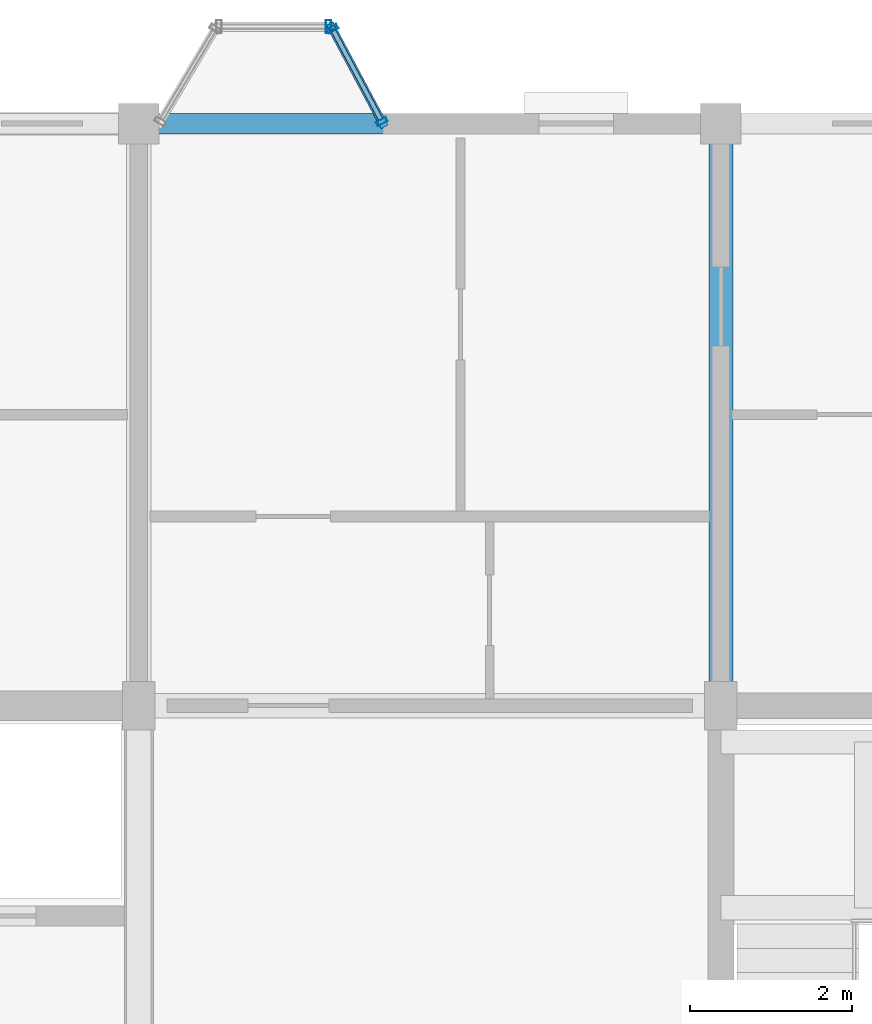
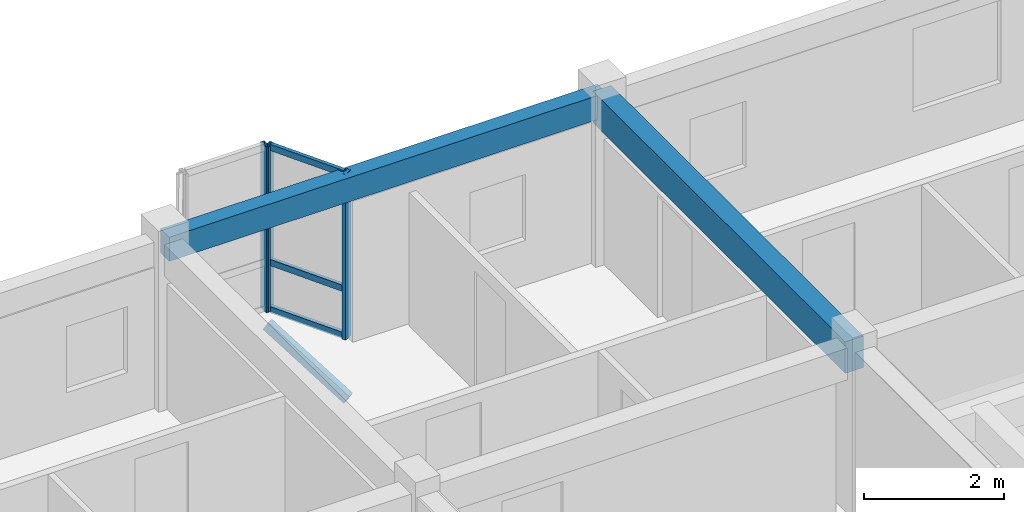
# One storey, part 39 of 65: 7 members, 2 beams, 2 elements without a shape of their own.
"""IFC4 building model written with IfcOpenShell, lengths in metres."""

from ifc_helpers import new_model, si_unit, direction, frame, origin, origin_2d, place, context, subcontext, project, spatial, rectangle, hollow_rectangle, extrude, material, layer, layer_set, material_profile, profile_set, type_object, element, aggregate, save


model = new_model("IFC4")

# Units and contexts
model_context = context("Model", 3, precision=1e-05, world=origin(), true_north=direction((0.0, 1.0)))
body_context = subcontext(model_context, "Body", "Model", "MODEL_VIEW")
ifc_project = project(units=[si_unit("LENGTHUNIT", "METRE"), si_unit("AREAUNIT", "SQUARE_METRE"), si_unit("VOLUMEUNIT", "CUBIC_METRE"), si_unit("PLANEANGLEUNIT", "RADIAN"), si_unit("MASSUNIT", "GRAM", prefix="KILO"), si_unit("THERMODYNAMICTEMPERATUREUNIT", "KELVIN"), si_unit("POWERUNIT", "WATT")], contexts=[model_context])

# Site, building, storey
site_placement = place(None, origin())
site = spatial("IfcSite", under=ifc_project, at=site_placement, CompositionType="ELEMENT")
building_placement = place(site_placement, origin())
building = spatial("IfcBuilding", under=site, at=building_placement, Name="Tavuni Mirador Residences", CompositionType="ELEMENT")
storey_placement = place(building_placement, frame((0.0, 0.0, 29.699951171875)))
storey = spatial("IfcBuildingStorey", under=building, at=storey_placement, Name="L09", CompositionType="ELEMENT", Elevation=29.699951171875)

# Beams
ifc_material_1 = material(Name="Precast concrete C40/50", Category="concrete")
ifc_material_profile_1 = material_profile(ifc_material_1, rectangle(XDim=0.300048828125, YDim=0.550048828125, at=origin_2d()), Name="PC 300x550", Category="concrete")
ifc_profile_set_1 = profile_set([ifc_material_profile_1], Name="Precast concrete C40/50")
beam_type_1 = type_object("IfcBeamType", Name="BT-B550", PredefinedType="BEAM", material=ifc_profile_set_1)
beam_1_placement = place(storey_placement, frame((39.60009765625, 165.60009765625, 2.610107421875), z_axis=(0.0, 1.0, 0.0), x_axis=(-1.0, 0.0, 0.0)))
element("IfcBeam", 1, at=beam_1_placement, inside=storey, type_object=beam_type_1, Name="BMY-BLK-C-L09-04-03", PredefinedType="BEAM", context=body_context, shape_type="SweptSolid", body=[
    extrude(rectangle(XDim=0.300048828125, YDim=0.550048828125, at=origin_2d()), origin(), (0.0, 0.0, 1.0), 7.199951171875),
])
ifc_material_profile_2 = material_profile(ifc_material_1, rectangle(XDim=0.25, YDim=0.419921875, at=origin_2d()), Name="PC 250x420", Category="concrete")
ifc_profile_set_2 = profile_set([ifc_material_profile_2], Name="Precast concrete C40/50")
beam_type_2 = type_object("IfcBeamType", Name="BT-SP420", PredefinedType="SPANDREL", material=ifc_profile_set_2)
beam_2_placement = place(storey_placement, frame((32.39990234375, 172.800048828125, 2.675048828125), z_axis=(1.0, 0.0, 0.0), x_axis=(0.0, 1.0, 0.0)))
element("IfcBeam", 2, at=beam_2_placement, inside=storey, type_object=beam_type_2, Name="BMX-BLK-C-L09-03-04", PredefinedType="SPANDREL", context=body_context, shape_type="SweptSolid", body=[
    extrude(rectangle(XDim=0.25, YDim=0.419921875, at=origin_2d()), origin(), (0.0, 0.0, 1.0), 7.2001953125),
])

# Curtain wall, members
ifc_material_2 = material(Name="Anodised aluminium", Category="aluminium")
ifc_layer_1 = layer(ifc_material_2, 0.175048828125, Name="Anodised aluminium", Category="aluminium")
ifc_layer_set_1 = layer_set([ifc_layer_1], Name="Anodised aluminium")
curtain_wall_type_1 = type_object("IfcCurtainWallType", Name="CWT-MIR-C", PredefinedType="NOTDEFINED", material=ifc_layer_set_1)
curtain_wall_1_placement = place(storey_placement, origin())
curtain_wall_1 = element("IfcCurtainWall", 3, at=curtain_wall_1_placement, inside=storey, type_object=curtain_wall_type_1, Name="CW-MIR-C-N2-L09-M1", PredefinedType="NOTDEFINED")
ifc_material_profile_3 = material_profile(ifc_material_2, hollow_rectangle(XDim=0.06005859375, YDim=0.139892578125, WallThickness=0.00390625, at=origin_2d()), Name="ALU 60x140x4.0", Category="aluminium")
ifc_profile_set_3 = profile_set([ifc_material_profile_3], Name="Anodised aluminium")
member_type_1 = type_object("IfcMemberType", Name="CWM-140", PredefinedType="MULLION", material=ifc_profile_set_3)
member_1_placement = place(storey_placement, frame((35.40576171875, 172.826416015625, 0.0), z_axis=(0.0, 0.0, 1.0), x_axis=(-0.470588235296, 0.882352941175, 0.0)))
member_1 = element("IfcMember", 4, at=member_1_placement, type_object=member_type_1, Name="CW-03 mullion 1", PredefinedType="MULLION", context=body_context, shape_type="SweptSolid", body=[
    extrude(hollow_rectangle(XDim=0.06005859375, YDim=0.139892578125, WallThickness=0.00390625, at=origin_2d()), origin(), (0.0, 0.0, 1.0), 2.885009765625),
])
member_2_placement = place(storey_placement, frame((34.794189453125, 173.9736328125, 0.0), z_axis=(0.0, 0.0, 1.0), x_axis=(-0.470588235296, 0.882352941175, 0.0)))
member_2 = element("IfcMember", 5, at=member_2_placement, type_object=member_type_1, Name="CW-03 mullion 2", PredefinedType="MULLION", context=body_context, shape_type="SweptSolid", body=[
    extrude(hollow_rectangle(XDim=0.06005859375, YDim=0.139892578125, WallThickness=0.00390625, at=origin_2d()), origin(), (0.0, 0.0, 1.0), 2.885009765625),
])

# Curtain wall, member
ifc_layer_2 = layer(ifc_material_2, 0.159912109375, Name="Anodised aluminium", Category="aluminium")
ifc_layer_set_2 = layer_set([ifc_layer_2], Name="Anodised aluminium")
curtain_wall_type_2 = type_object("IfcCurtainWallType", Name="CWT-MIR-D", PredefinedType="NOTDEFINED", material=ifc_layer_set_2)
curtain_wall_2_placement = place(storey_placement, origin())
curtain_wall_2 = element("IfcCurtainWall", 6, at=curtain_wall_2_placement, inside=storey, type_object=curtain_wall_type_2, Name="CW-MIR-C-N2-L09-MF", PredefinedType="NOTDEFINED")
ifc_material_profile_4 = material_profile(ifc_material_2, hollow_rectangle(XDim=0.06494140625, YDim=0.1650390625, WallThickness=0.00439453125, at=origin_2d()), Name="ALU 65x165x4.5", Category="aluminium")
ifc_profile_set_4 = profile_set([ifc_material_profile_4], Name="Anodised aluminium")
member_type_2 = type_object("IfcMemberType", Name="CWM-165", PredefinedType="MULLION", material=ifc_profile_set_4)
member_3_placement = place(storey_placement, frame((34.74755859375, 174.0, 0.0), z_axis=(0.0, 0.0, 1.0), x_axis=(-1.0, 0.0, 0.0)))
member_3 = element("IfcMember", 7, at=member_3_placement, type_object=member_type_2, Name="CW-04 mullion 1", PredefinedType="MULLION", context=body_context, shape_type="SweptSolid", body=[
    extrude(hollow_rectangle(XDim=0.06494140625, YDim=0.1650390625, WallThickness=0.00439453125, at=origin_2d()), origin(), (0.0, 0.0, 1.0), 2.885009765625),
])
aggregate(curtain_wall_2, [member_3])

# Member
ifc_material_profile_5 = material_profile(ifc_material_2, hollow_rectangle(XDim=0.06005859375, YDim=0.110107421875, WallThickness=0.00390625, at=origin_2d()), Name="ALU 60x110x4.0", Category="aluminium")
ifc_profile_set_5 = profile_set([ifc_material_profile_5], Name="Anodised aluminium")
member_type_3 = type_object("IfcMemberType", Name="CWT-110", PredefinedType="USERDEFINED", material=ifc_profile_set_5)
member_4_placement = place(storey_placement, frame((35.391845703125, 172.85302734375, 0.030029296875), z_axis=(-0.470608675382, 0.882342039492, 0.0), x_axis=(-0.882342039492, -0.470608675382, 0.0)))
member_4 = element("IfcMember", 8, at=member_4_placement, type_object=member_type_3, Name="CW-03 transom 1.1", ObjectType="TRANSOM", PredefinedType="USERDEFINED", context=body_context, shape_type="SweptSolid", body=[
    extrude(hollow_rectangle(XDim=0.06005859375, YDim=0.110107421875, WallThickness=0.00390625, at=origin_2d()), origin(), (0.0, 0.0, 1.0), 1.239990234375),
])

member_5_placement = place(storey_placement, frame((35.391845703125, 172.85302734375, 0.85009765625), z_axis=(-0.470608675382, 0.882342039492, 0.0), x_axis=(-0.882342039492, -0.470608675382, 0.0)))
member_5 = element("IfcMember", 9, at=member_5_placement, type_object=member_type_3, Name="CW-03 transom 1.2", ObjectType="TRANSOM", PredefinedType="USERDEFINED", context=body_context, shape_type="SweptSolid", body=[
    extrude(hollow_rectangle(XDim=0.06005859375, YDim=0.110107421875, WallThickness=0.00390625, at=origin_2d()), origin(), (0.0, 0.0, 1.0), 1.239990234375),
])

member_6_placement = place(storey_placement, frame((35.391845703125, 172.85302734375, 2.85498046875), z_axis=(-0.470608675382, 0.882342039492, 0.0), x_axis=(-0.882342039492, -0.470608675382, 0.0)))
member_6 = element("IfcMember", 10, at=member_6_placement, type_object=member_type_3, Name="CW-03 transom 1.3", ObjectType="TRANSOM", PredefinedType="USERDEFINED", context=body_context, shape_type="SweptSolid", body=[
    extrude(hollow_rectangle(XDim=0.06005859375, YDim=0.110107421875, WallThickness=0.00390625, at=origin_2d()), origin(), (0.0, 0.0, 1.0), 1.239990234375),
])

aggregate(curtain_wall_1, [member_1, member_2, member_4, member_5, member_6])

ifc_material_3 = material(Name="Structural steel S355", Category="steel")
ifc_material_profile_6 = material_profile(ifc_material_3, hollow_rectangle(XDim=0.10009765625, YDim=0.179931640625, WallThickness=0.008056640625, at=origin_2d()), Name="RHS 180x100x8.0", Category="steel")
ifc_profile_set_6 = profile_set([ifc_material_profile_6], Name="Structural steel S355")
member_type_4 = type_object("IfcMemberType", Name="MT-BR-RHS180", PredefinedType="BRACE", material=ifc_profile_set_6)
member_7_placement = place(storey_placement, frame((35.419921875, 172.800048828125, -1.050048828125), z_axis=(-0.407499208462, 0.764158187558, 0.500006659448), x_axis=(-0.882377788047, -0.47054164445, 0.0)))
element("IfcMember", 11, at=member_7_placement, inside=storey, type_object=member_type_4, Name="MBRK-MIR-C-N2-L09-2", PredefinedType="BRACE", context=body_context, shape_type="SweptSolid", body=[
    extrude(hollow_rectangle(XDim=0.10009765625, YDim=0.179931640625, WallThickness=0.008056640625, at=origin_2d()), origin(), (0.0, 0.0, 1.0), 1.5703125),
])

save(model, "model.ifc")
